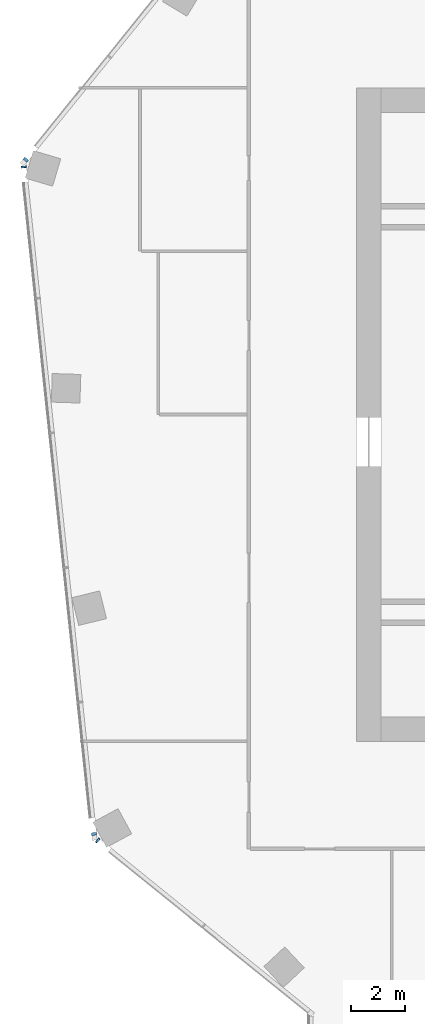
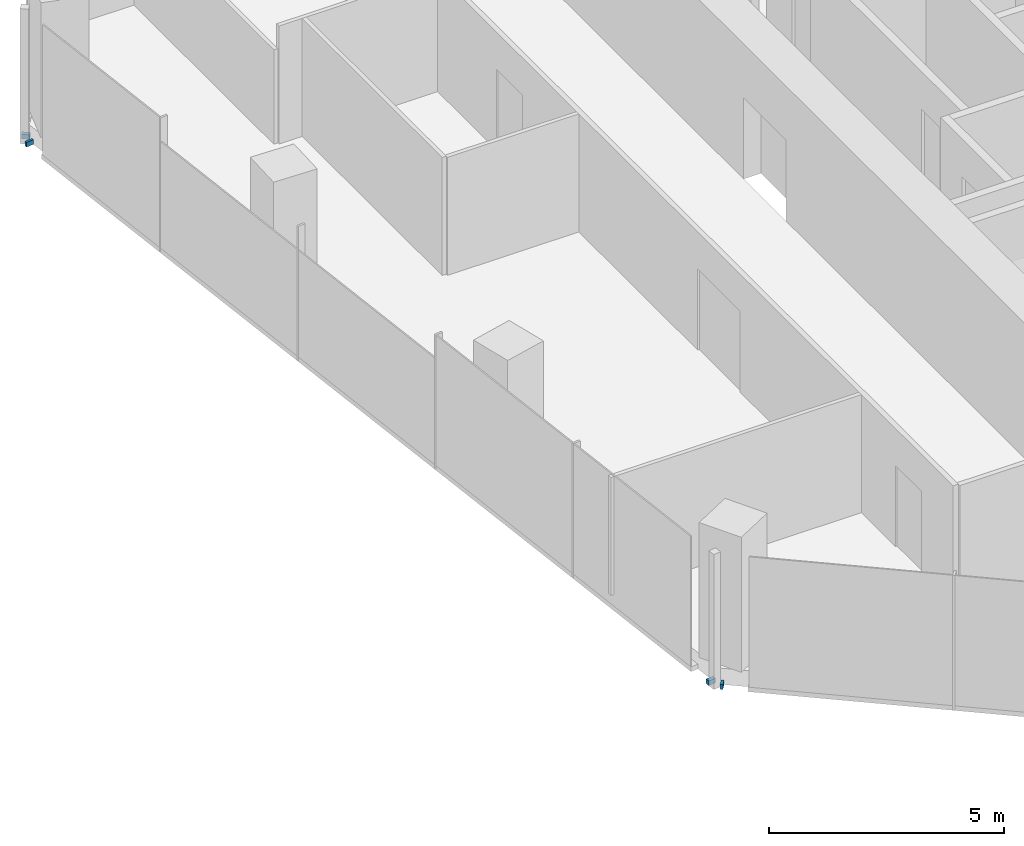
# One storey, part 13 of 23: 4 members, 3 elements without a shape of their own.
"""IFC4 building model written with IfcOpenShell, lengths in metres."""

from ifc_helpers import new_model, si_unit, direction, frame, origin, origin_2d, place, context, subcontext, project, spatial, rectangle, extrude, material, material_profile, profile_set, type_object, element, aggregate, save


model = new_model("IFC4")

# Units and contexts
model_context = context("Model", 3, precision=1e-05, world=origin(), true_north=direction((0.0, 1.0)))
body_context = subcontext(model_context, "Body", "Model", "MODEL_VIEW")
ifc_project = project(units=[si_unit("LENGTHUNIT", "METRE"), si_unit("AREAUNIT", "SQUARE_METRE"), si_unit("VOLUMEUNIT", "CUBIC_METRE"), si_unit("PLANEANGLEUNIT", "RADIAN"), si_unit("MASSUNIT", "GRAM", prefix="KILO")], contexts=[model_context])

# Site, building, storey
site_placement = place(None, origin())
site = spatial("IfcSite", under=ifc_project, at=site_placement, CompositionType="ELEMENT")
building_placement = place(site_placement, origin())
building = spatial("IfcBuilding", under=site, at=building_placement, Name="Orlundy Tower", CompositionType="ELEMENT")
storey_placement = place(building_placement, frame((0.0, 0.0, 224.5)))
storey = spatial("IfcBuildingStorey", under=building, at=storey_placement, Name="L59", CompositionType="ELEMENT", Elevation=224.5)

# Curtain wall, member
ifc_material_1 = material(Name="Aluminium bronze anodised", Category="aluminium")
curtain_wall_type = type_object("IfcCurtainWallType", Name="CW1 wall", PredefinedType="NOTDEFINED", material=ifc_material_1)
curtain_wall_1_placement = place(storey_placement, origin())
curtain_wall_1 = element("IfcCurtainWall", 1, at=curtain_wall_1_placement, inside=storey, type_object=curtain_wall_type, Name="CW1 run 01", PredefinedType="NOTDEFINED")
ifc_material_2 = material(Name="Aluminium bronze anodised", Category="aluminium")
ifc_material_profile = material_profile(ifc_material_2, rectangle(XDim=0.179931640625, YDim=0.1201171875, at=origin_2d()), Name="CW1 transom 180x120")
ifc_profile_set = profile_set([ifc_material_profile], Name="Aluminium bronze anodised")
member_type = type_object("IfcMemberType", Name="CW1 transom 180x120", PredefinedType="USERDEFINED", material=ifc_profile_set)
member_1_placement = place(storey_placement, frame((-28.47607421875, -15.6591796875, -0.360107421875), z_axis=(-0.776966429431, 0.629542030001, 0.0), x_axis=(-0.629542030001, -0.776966429431, 0.0)))
member_1 = element("IfcMember", 2, at=member_1_placement, type_object=member_type, Name="CW1 transom", ObjectType="TRANSOM", PredefinedType="USERDEFINED", context=body_context, shape_type="SweptSolid", body=[
    extrude(rectangle(XDim=0.179931640625, YDim=0.1201171875, at=origin_2d()), origin(), (0.0, 0.0, 1.0), 0.061279296875),
])
aggregate(curtain_wall_1, [member_1])

# Curtain wall, members
curtain_wall_2_placement = place(storey_placement, origin())
curtain_wall_2 = element("IfcCurtainWall", 3, at=curtain_wall_2_placement, inside=storey, type_object=curtain_wall_type, Name="CW1 run 02", PredefinedType="NOTDEFINED")
member_2_placement = place(storey_placement, frame((-28.632080078125, -15.450927734375, -0.360107421875), z_axis=(-0.104168345469, 0.994559679357, 0.0), x_axis=(-0.994559679357, -0.104168345469, 0.0)))
member_2 = element("IfcMember", 4, at=member_2_placement, type_object=member_type, Name="CW1 transom", ObjectType="TRANSOM", PredefinedType="USERDEFINED", context=body_context, shape_type="SweptSolid", body=[
    extrude(rectangle(XDim=0.179931640625, YDim=0.1201171875, at=origin_2d()), origin(), (0.0, 0.0, 1.0), 0.098388671875),
])
member_3_placement = place(storey_placement, frame((-31.208740234375, 9.0625, -0.360107421875), z_axis=(-0.104267266743, 0.994549313552, 0.0), x_axis=(-0.994549313552, -0.104267266743, 0.0)))
member_3 = element("IfcMember", 5, at=member_3_placement, type_object=member_type, Name="CW1 transom", ObjectType="TRANSOM", PredefinedType="USERDEFINED", context=body_context, shape_type="SweptSolid", body=[
    extrude(rectangle(XDim=0.179931640625, YDim=0.1201171875, at=origin_2d()), origin(), (0.0, 0.0, 1.0), 0.060791015625),
])
aggregate(curtain_wall_2, [member_2, member_3])

# Curtain wall, member
curtain_wall_3_placement = place(storey_placement, origin())
curtain_wall_3 = element("IfcCurtainWall", 6, at=curtain_wall_3_placement, inside=storey, type_object=curtain_wall_type, Name="CW1 run 03", PredefinedType="NOTDEFINED")
member_4_placement = place(storey_placement, frame((-31.171875, 9.319580078125, -0.360107421875), z_axis=(0.630125535101, 0.776493277507, 0.0), x_axis=(-0.776493277507, 0.630125535101, 0.0)))
member_4 = element("IfcMember", 7, at=member_4_placement, type_object=member_type, Name="CW1 transom", ObjectType="TRANSOM", PredefinedType="USERDEFINED", context=body_context, shape_type="SweptSolid", body=[
    extrude(rectangle(XDim=0.179931640625, YDim=0.1201171875, at=origin_2d()), origin(), (0.0, 0.0, 1.0), 0.098388671875),
])
aggregate(curtain_wall_3, [member_4])

save(model, "model.ifc")
